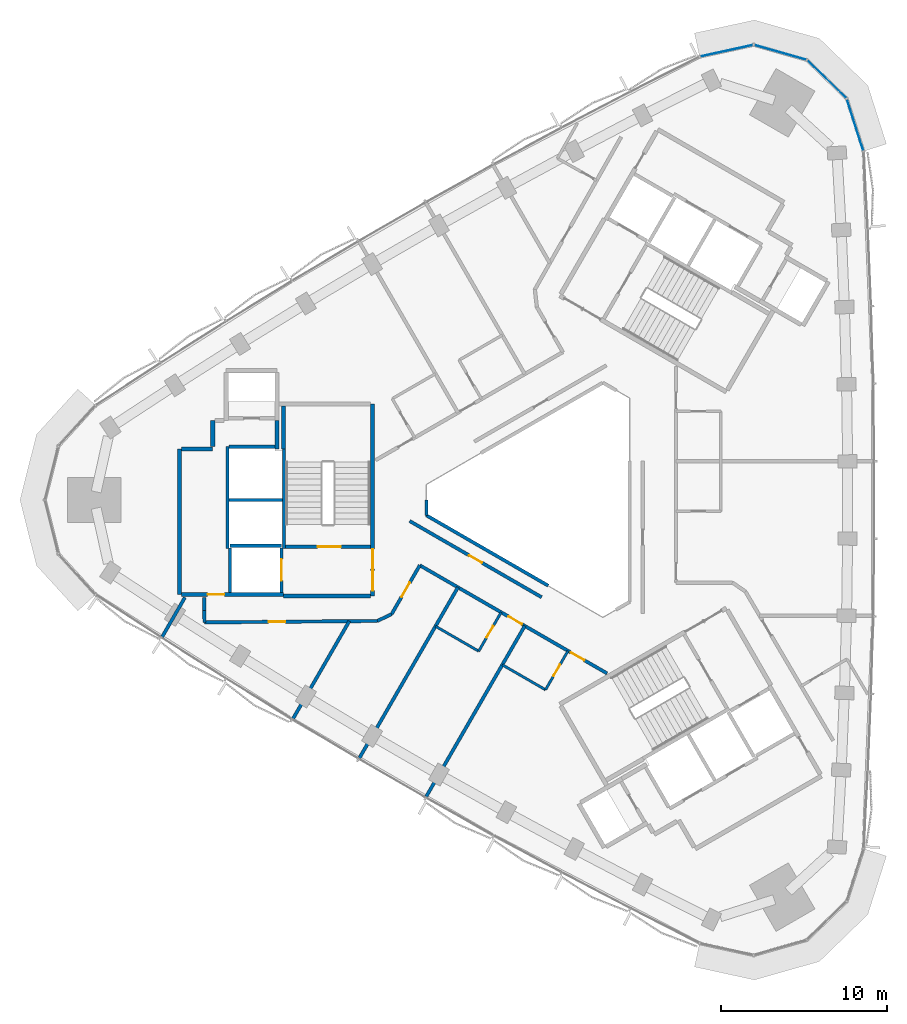
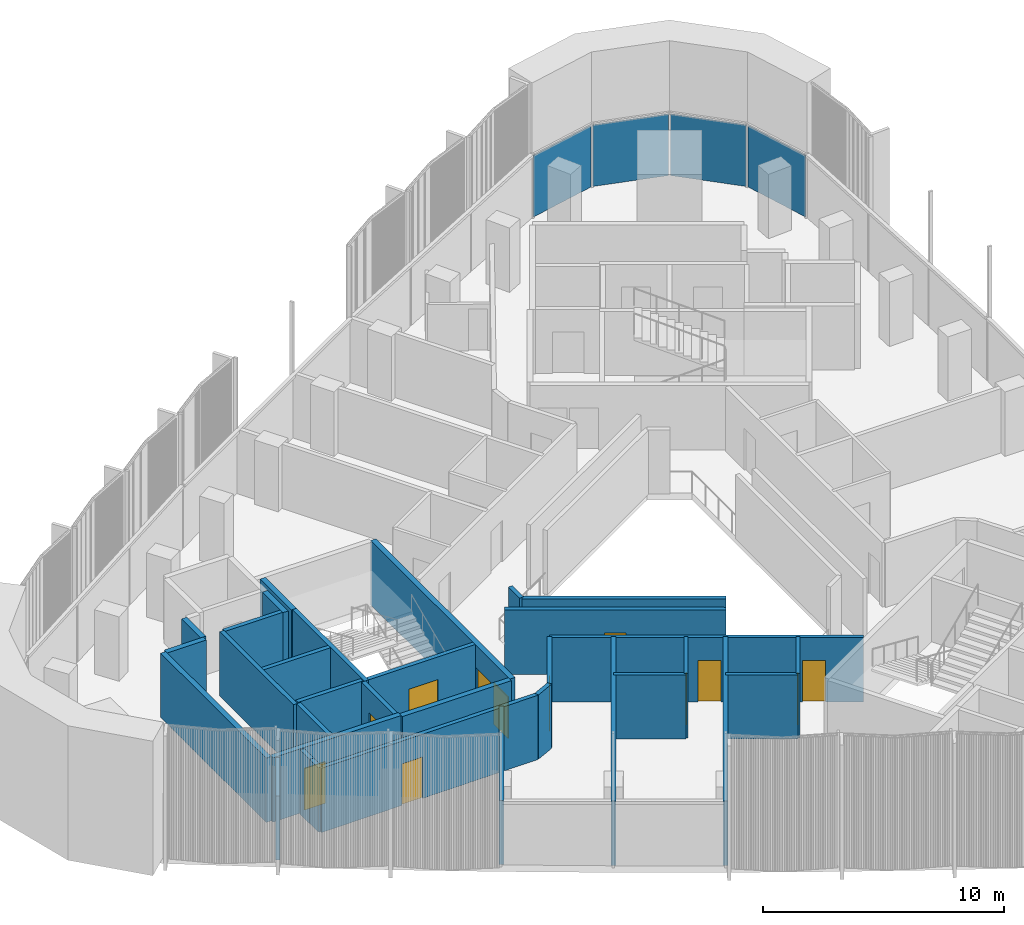
# One storey, part 7 of 13: 33 walls, 12 doors, 4 plates, 12 openings, 1 element without a shape of its own.
"""IFC4 building model written with IfcOpenShell, lengths in metres."""

from ifc_helpers import new_model, si_unit, direction, frame, frame_2d, origin, origin_2d, place, context, subcontext, project, spatial, rectangle, extrude, material, layer, layer_set, type_object, element, fill, aggregate, save


model = new_model("IFC4")

# Units and contexts
model_context = context("Model", 3, precision=1e-05, world=origin(), true_north=direction((0.0, 1.0)))
body_context = subcontext(model_context, "Body", "Model", "MODEL_VIEW")
ifc_project = project(units=[si_unit("LENGTHUNIT", "METRE"), si_unit("AREAUNIT", "SQUARE_METRE"), si_unit("VOLUMEUNIT", "CUBIC_METRE"), si_unit("PLANEANGLEUNIT", "RADIAN"), si_unit("MASSUNIT", "GRAM", prefix="KILO")], contexts=[model_context])

# Site, building, storey
site_placement = place(None, origin())
site = spatial("IfcSite", under=ifc_project, at=site_placement, CompositionType="ELEMENT")
building_placement = place(site_placement, origin())
building = spatial("IfcBuilding", under=site, at=building_placement, Name="Tamra Quay Hotel Tower", CompositionType="ELEMENT")
storey_placement = place(building_placement, frame((0.0, 0.0, 204.39990234375)))
storey = spatial("IfcBuildingStorey", under=building, at=storey_placement, Name="L51", CompositionType="ELEMENT", Elevation=204.39990234375)

# Curtain wall, plates
ifc_material_1 = material(Name="Aluminium 6063 anodised dark grey", Category="aluminium")
curtain_wall_type = type_object("IfcCurtainWallType", Name="CW1 CURTAIN WALL", PredefinedType="NOTDEFINED", material=ifc_material_1)
curtain_wall_placement = place(storey_placement, origin())
curtain_wall = element("IfcCurtainWall", 1, at=curtain_wall_placement, inside=storey, type_object=curtain_wall_type, Name="CW1 east face L51", PredefinedType="NOTDEFINED")
ifc_material_2 = material(Name="Glass clear laminated low-iron", Category="glass")
ifc_layer_1 = layer(ifc_material_2, 0.030029296875)
ifc_layer_set_1 = layer_set([ifc_layer_1], Name="GLASS PANEL CW1 Z4")
plate_type = type_object("IfcPlateType", Name="GLASS PANEL CW1 Z4", PredefinedType="CURTAIN_PANEL", material=ifc_layer_set_1)
plate_1_placement = place(storey_placement, frame((18.16064453125, 22.54052734375, 0.0), z_axis=(0.0, 0.0, 1.0), x_axis=(-0.303410479682, 0.952859948166, 0.0)))
plate_1 = element("IfcPlate", 2, at=plate_1_placement, type_object=plate_type, Name="CW1 glass L51.E.10", PredefinedType="CURTAIN_PANEL", context=body_context, shape_type="SweptSolid", body=[
    extrude(rectangle(XDim=3.227783203125, YDim=0.030029296875, at=origin_2d()), origin(), (0.0, 0.0, 1.0), 3.110107421875),
])
plate_2_placement = place(storey_placement, frame((16.461181640625, 25.2841796875, 0.0), z_axis=(0.0, 0.0, 1.0), x_axis=(-0.717974699393, 0.696069199888, 0.0)))
plate_2 = element("IfcPlate", 3, at=plate_2_placement, type_object=plate_type, Name="CW1 glass L51.E.11", PredefinedType="CURTAIN_PANEL", context=body_context, shape_type="SweptSolid", body=[
    extrude(rectangle(XDim=3.227783203125, YDim=0.030029296875, at=origin_2d()), origin(), (0.0, 0.0, 1.0), 3.110107421875),
])
plate_3_placement = place(storey_placement, frame((13.666259765625, 26.897705078125, 0.0), z_axis=(0.0, 0.0, 1.0), x_axis=(-0.961800959591, 0.273749729005, 0.0)))
plate_3 = element("IfcPlate", 4, at=plate_3_placement, type_object=plate_type, Name="CW1 glass L51.E.12", PredefinedType="CURTAIN_PANEL", context=body_context, shape_type="SweptSolid", body=[
    extrude(rectangle(XDim=3.227783203125, YDim=0.030029296875, at=origin_2d()), origin(), (0.0, 0.0, 1.0), 3.110107421875),
])
plate_4_placement = place(storey_placement, frame((10.4404296875, 26.997802734375, 0.0), z_axis=(0.0, 0.0, 1.0), x_axis=(-0.976906161202, -0.213668790904, 0.0)))
plate_4 = element("IfcPlate", 5, at=plate_4_placement, type_object=plate_type, Name="CW1 glass L51.E.13", PredefinedType="CURTAIN_PANEL", context=body_context, shape_type="SweptSolid", body=[
    extrude(rectangle(XDim=3.227783203125, YDim=0.030029296875, at=origin_2d()), origin(), (0.0, 0.0, 1.0), 3.110107421875),
])
aggregate(curtain_wall, [plate_1, plate_2, plate_3, plate_4])

# Walls
ifc_material_3 = material(Name="Concrete M70", Category="concrete")
ifc_layer_2 = layer(ifc_material_3, 0.199951171875)
ifc_layer_set_2 = layer_set([ifc_layer_2], Name="Concrete M70 core wall 200")
wall_type_1 = type_object("IfcWallType", Name="Concrete M70 core wall 200", PredefinedType="SHEAR", material=ifc_layer_set_2)
wall_1_placement = place(storey_placement, frame((-16.162109375, 3.073974609375, 0.0), z_axis=(0.0, 0.0, 1.0), x_axis=(0.0, -1.0, 0.0)))
element("IfcWall", 6, at=wall_1_placement, inside=storey, type_object=wall_type_1, Name="CW2", PredefinedType="SHEAR", context=body_context, shape_type="SweptSolid", body=[
    extrude(rectangle(XDim=5.97412109375, YDim=0.199951171875, at=frame_2d((2.987060546875, 0.0))), origin(), (0.0, 0.0, 1.0), 3.25),
])
wall_2_placement = place(storey_placement, frame((-19.5625, -2.900146484375, 0.0), z_axis=(0.0, 0.0, 1.0), x_axis=(0.0, 1.0, 0.0)))
element("IfcWall", 7, at=wall_2_placement, inside=storey, type_object=wall_type_1, Name="CW2", PredefinedType="SHEAR", context=body_context, shape_type="SweptSolid", body=[
    extrude(rectangle(XDim=6.100341796875, YDim=0.199951171875, at=frame_2d((3.05029296875, 0.0))), origin(), (0.0, 0.0, 1.0), 3.25),
])

# Wall, opening, door
wall_3_placement = place(storey_placement, frame((-10.96337890625, -2.800048828125, 0.0), z_axis=(0.0, 0.0, 1.0), x_axis=(-1.0, 0.0, 0.0)))
wall_3 = element("IfcWall", 8, at=wall_3_placement, inside=storey, type_object=wall_type_1, Name="CW2", PredefinedType="SHEAR", context=body_context, shape_type="SweptSolid", body=[
    extrude(rectangle(XDim=5.097900390625, YDim=0.199951171875, at=frame_2d((2.548828125, 0.0))), origin(), (0.0, 0.0, 1.0), 3.25),
])
opening_1_placement = place(wall_3_placement, frame((1.77392578125, 0.0, 0.0)))
opening_1 = element("IfcOpeningElement", 9, at=opening_1_placement, cuts=wall_3, Name="Opening FD2", PredefinedType="OPENING", context=body_context, shape_type="SweptSolid", body=[
    extrude(rectangle(XDim=1.39990234375, YDim=2.10009765625, at=frame_2d((0.699951171875, 1.050048828125))), frame((0.0, 0.10986328125, 0.0), z_axis=(0.0, -1.0, 0.0), x_axis=(1.0, 0.0, 0.0)), (0.0, 0.0, 1.0), 0.219970703125),
])
ifc_material_4 = material(Name="Core door FD2 1400x2100 LH")
door_type_1 = type_object("IfcDoorType", Name="Core door FD2 1400x2100 LH", OperationType="NOTDEFINED", PredefinedType="DOOR", material=ifc_material_4)
door_1_placement = place(opening_1_placement, origin())
door_1 = element("IfcDoor", 10, at=door_1_placement, inside=storey, type_object=door_type_1, Name="FD2", OperationType="SINGLE_SWING_LEFT", OverallHeight=2.10009765625, OverallWidth=1.39990234375, PredefinedType="DOOR", context=body_context, shape_type="SweptSolid", body=[
    extrude(rectangle(XDim=1.39990234375, YDim=2.10009765625, at=frame_2d((0.699951171875, 1.050048828125))), frame((0.0, 0.02490234375, 0.0), z_axis=(0.0, -1.0, 0.0), x_axis=(1.0, 0.0, 0.0)), (0.0, 0.0, 1.0), 0.050048828125),
])
fill(opening_1, door_1)

# Walls
wall_4_placement = place(storey_placement, frame((-16.26318359375, 0.0, 0.0), z_axis=(0.0, 0.0, 1.0), x_axis=(-1.0, 0.0, 0.0)))
element("IfcWall", 11, at=wall_4_placement, inside=storey, type_object=wall_type_1, Name="CW2", PredefinedType="SHEAR", context=body_context, shape_type="SweptSolid", body=[
    extrude(rectangle(XDim=3.1982421875, YDim=0.199951171875, at=frame_2d((1.59912109375, 0.0))), origin(), (0.0, 0.0, 1.0), 3.25),
])
wall_5_placement = place(storey_placement, frame((-19.46240234375, 3.2001953125, 0.0), z_axis=(0.0, 0.0, 1.0), x_axis=(1.0, 0.0, 0.0)))
element("IfcWall", 12, at=wall_5_placement, inside=storey, type_object=wall_type_1, Name="CW2", PredefinedType="SHEAR", context=body_context, shape_type="SweptSolid", body=[
    extrude(rectangle(XDim=2.759033203125, YDim=0.199951171875, at=frame_2d((1.37939453125, 0.0))), origin(), (0.0, 0.0, 1.0), 3.25),
])
wall_6_placement = place(storey_placement, frame((-19.412353515625, -2.75, 0.0), z_axis=(0.0, 0.0, 1.0), x_axis=(1.0, 0.0, 0.0)))
element("IfcWall", 13, at=wall_6_placement, inside=storey, type_object=wall_type_1, Name="CW2", PredefinedType="SHEAR", context=body_context, shape_type="SweptSolid", body=[
    extrude(rectangle(XDim=3.10009765625, YDim=0.199951171875, at=frame_2d((1.550048828125, 0.0))), origin(), (0.0, 0.0, 1.0), 3.25),
])

# Wall, opening, door
wall_7_placement = place(storey_placement, frame((-16.312255859375, -2.898193359375, 0.0), z_axis=(0.0, 0.0, 1.0), x_axis=(0.0, -1.0, 0.0)))
wall_7 = element("IfcWall", 14, at=wall_7_placement, inside=storey, type_object=wall_type_1, Name="CW2", PredefinedType="SHEAR", context=body_context, shape_type="SweptSolid", body=[
    extrude(rectangle(XDim=2.65087890625, YDim=0.199951171875, at=frame_2d((1.325439453125, 0.0))), origin(), (0.0, 0.0, 1.0), 3.25),
])
opening_2_placement = place(wall_7_placement, frame((0.65185546875, 0.0, 0.0)))
opening_2 = element("IfcOpeningElement", 15, at=opening_2_placement, cuts=wall_7, Name="Opening LD", PredefinedType="OPENING", context=body_context, shape_type="SweptSolid", body=[
    extrude(rectangle(XDim=1.300048828125, YDim=2.10009765625, at=frame_2d((0.64990234375, 1.050048828125))), frame((0.0, 0.10986328125, 0.0), z_axis=(0.0, -1.0, 0.0), x_axis=(1.0, 0.0, 0.0)), (0.0, 0.0, 1.0), 0.219970703125),
])
ifc_material_5 = material(Name="Landing door LD 1300 sliding to left")
door_type_2 = type_object("IfcDoorType", Name="Landing door LD 1300 sliding to left", OperationType="NOTDEFINED", PredefinedType="DOOR", material=ifc_material_5)
door_2_placement = place(opening_2_placement, origin())
door_2 = element("IfcDoor", 16, at=door_2_placement, inside=storey, type_object=door_type_2, Name="LD", OperationType="SLIDING_TO_LEFT", OverallHeight=2.10009765625, OverallWidth=1.300048828125, PredefinedType="DOOR", context=body_context, shape_type="SweptSolid", body=[
    extrude(rectangle(XDim=1.300048828125, YDim=2.10009765625, at=frame_2d((0.64990234375, 1.050048828125))), frame((0.0, 0.02490234375, 0.0), z_axis=(0.0, -1.0, 0.0), x_axis=(1.0, 0.0, 0.0)), (0.0, 0.0, 1.0), 0.050048828125),
])
fill(opening_2, door_2)

# Wall
wall_8_placement = place(storey_placement, frame((-19.412353515625, -5.549072265625, 0.0), z_axis=(0.0, 0.0, 1.0), x_axis=(0.0, 1.0, 0.0)))
element("IfcWall", 17, at=wall_8_placement, inside=storey, type_object=wall_type_1, Name="CW2", PredefinedType="SHEAR", context=body_context, shape_type="SweptSolid", body=[
    extrude(rectangle(XDim=2.65087890625, YDim=0.199951171875, at=frame_2d((1.325439453125, 0.0))), origin(), (0.0, 0.0, 1.0), 3.25),
])

# Wall, openings, doors
ifc_layer_3 = layer(ifc_material_3, 0.25)
ifc_layer_set_3 = layer_set([ifc_layer_3], Name="Concrete M70 core wall 250")
wall_type_2 = type_object("IfcWallType", Name="Concrete M70 core wall 250", PredefinedType="SHEAR", material=ifc_layer_set_3)
wall_9_placement = place(storey_placement, frame((-10.83740234375, 5.77490234375, 0.0), z_axis=(0.0, 0.0, 1.0), x_axis=(0.0, -1.0, 0.0)))
wall_9 = element("IfcWall", 18, at=wall_9_placement, inside=storey, type_object=wall_type_2, Name="CW1", PredefinedType="SHEAR", context=body_context, shape_type="SweptSolid", body=[
    extrude(rectangle(XDim=11.5498046875, YDim=0.25, at=frame_2d((5.77490234375, 0.0))), origin(), (0.0, 0.0, 1.0), 3.25),
])
opening_3_placement = place(wall_9_placement, frame((10.02490234375, 0.0, 0.0)))
opening_3 = element("IfcOpeningElement", 19, at=opening_3_placement, cuts=wall_9, Name="Opening FD1", PredefinedType="OPENING", context=body_context, shape_type="SweptSolid", body=[
    extrude(rectangle(XDim=1.199951171875, YDim=2.10009765625, at=frame_2d((0.60009765625, 1.050048828125))), frame((0.0, 0.135009765625, 0.0), z_axis=(0.0, -1.0, 0.0), x_axis=(1.0, 0.0, 0.0)), (0.0, 0.0, 1.0), 0.27001953125),
])
opening_4_placement = place(wall_9_placement, frame((8.72509765625, 0.0, 0.0)))
opening_4 = element("IfcOpeningElement", 20, at=opening_4_placement, cuts=wall_9, Name="Opening FD1", PredefinedType="OPENING", context=body_context, shape_type="SweptSolid", body=[
    extrude(rectangle(XDim=1.199951171875, YDim=2.10009765625, at=frame_2d((0.60009765625, 1.050048828125))), frame((0.0, 0.135009765625, 0.0), z_axis=(0.0, -1.0, 0.0), x_axis=(1.0, 0.0, 0.0)), (0.0, 0.0, 1.0), 0.27001953125),
])
ifc_material_6 = material(Name="Core door FD1 1200x2100 LH")
door_type_3 = type_object("IfcDoorType", Name="Core door FD1 1200x2100 LH", OperationType="NOTDEFINED", PredefinedType="DOOR", material=ifc_material_6)
door_3_placement = place(opening_3_placement, origin())
door_3 = element("IfcDoor", 21, at=door_3_placement, inside=storey, type_object=door_type_3, Name="FD1", OperationType="SINGLE_SWING_LEFT", OverallHeight=2.10009765625, OverallWidth=1.199951171875, PredefinedType="DOOR", context=body_context, shape_type="SweptSolid", body=[
    extrude(rectangle(XDim=1.199951171875, YDim=2.10009765625, at=frame_2d((0.60009765625, 1.050048828125))), frame((0.0, 0.02490234375, 0.0), z_axis=(0.0, -1.0, 0.0), x_axis=(1.0, 0.0, 0.0)), (0.0, 0.0, 1.0), 0.050048828125),
])
fill(opening_3, door_3)
ifc_material_7 = material(Name="Core door FD1 1200x2100 RH")
door_type_4 = type_object("IfcDoorType", Name="Core door FD1 1200x2100 RH", OperationType="NOTDEFINED", PredefinedType="DOOR", material=ifc_material_7)
door_4_placement = place(opening_4_placement, origin())
door_4 = element("IfcDoor", 22, at=door_4_placement, inside=storey, type_object=door_type_4, Name="FD1", OperationType="SINGLE_SWING_RIGHT", OverallHeight=2.10009765625, OverallWidth=1.199951171875, PredefinedType="DOOR", context=body_context, shape_type="SweptSolid", body=[
    extrude(rectangle(XDim=1.199951171875, YDim=2.10009765625, at=frame_2d((0.60009765625, 1.050048828125))), frame((0.0, 0.02490234375, 0.0), z_axis=(0.0, -1.0, 0.0), x_axis=(1.0, 0.0, 0.0)), (0.0, 0.0, 1.0), 0.050048828125),
])
fill(opening_4, door_4)

# Wall
wall_10_placement = place(storey_placement, frame((-22.437255859375, -5.675048828125, 0.0), z_axis=(0.0, 0.0, 1.0), x_axis=(0.0, 1.0, 0.0)))
element("IfcWall", 23, at=wall_10_placement, inside=storey, type_object=wall_type_2, Name="CW1", PredefinedType="SHEAR", context=body_context, shape_type="SweptSolid", body=[
    extrude(rectangle(XDim=8.75, YDim=0.25, at=frame_2d((4.375, 0.0))), origin(), (0.0, 0.0, 1.0), 3.25),
])

# Wall, opening, door
wall_11_placement = place(storey_placement, frame((-16.187255859375, -5.675048828125, 0.0), z_axis=(0.0, 0.0, 1.0), x_axis=(-1.0, 0.0, 0.0)))
wall_11 = element("IfcWall", 24, at=wall_11_placement, inside=storey, type_object=wall_type_2, Name="CW1", PredefinedType="SHEAR", context=body_context, shape_type="SweptSolid", body=[
    extrude(rectangle(XDim=6.12451171875, YDim=0.25, at=frame_2d((3.062255859375, 0.0))), origin(), (0.0, 0.0, 1.0), 3.25),
])
opening_5_placement = place(wall_11_placement, frame((3.562744140625, 0.0, 0.0)))
opening_5 = element("IfcOpeningElement", 25, at=opening_5_placement, cuts=wall_11, Name="Opening FD3", PredefinedType="OPENING", context=body_context, shape_type="SweptSolid", body=[
    extrude(rectangle(XDim=1.0, YDim=2.10009765625, at=frame_2d((0.5, 1.050048828125))), frame((0.0, 0.135009765625, 0.0), z_axis=(0.0, -1.0, 0.0), x_axis=(1.0, 0.0, 0.0)), (0.0, 0.0, 1.0), 0.27001953125),
])
ifc_material_8 = material(Name="Core door FD3 1000x2100 LH")
door_type_5 = type_object("IfcDoorType", Name="Core door FD3 1000x2100 LH", OperationType="NOTDEFINED", PredefinedType="DOOR", material=ifc_material_8)
door_5_placement = place(opening_5_placement, origin())
door_5 = element("IfcDoor", 26, at=door_5_placement, inside=storey, type_object=door_type_5, Name="FD3", OperationType="SINGLE_SWING_LEFT", OverallHeight=2.10009765625, OverallWidth=1.0, PredefinedType="DOOR", context=body_context, shape_type="SweptSolid", body=[
    extrude(rectangle(XDim=1.0, YDim=2.10009765625, at=frame_2d((0.5, 1.050048828125))), frame((0.0, 0.02490234375, 0.0), z_axis=(0.0, -1.0, 0.0), x_axis=(1.0, 0.0, 0.0)), (0.0, 0.0, 1.0), 0.050048828125),
])
fill(opening_5, door_5)

# Walls
wall_12_placement = place(storey_placement, frame((-10.962646484375, -5.77490234375, 0.0), z_axis=(0.0, 0.0, 1.0), x_axis=(-1.0, 0.0, 0.0)))
element("IfcWall", 27, at=wall_12_placement, inside=storey, type_object=wall_type_2, Name="CW1", PredefinedType="SHEAR", context=body_context, shape_type="SweptSolid", body=[
    extrude(rectangle(XDim=5.224609375, YDim=0.25, at=frame_2d((2.6123046875, 0.0))), origin(), (0.0, 0.0, 1.0), 3.25),
])
wall_13_placement = place(storey_placement, frame((-16.187255859375, 3.074951171875, 0.0), z_axis=(0.0, 0.0, 1.0), x_axis=(0.0, 1.0, 0.0)))
element("IfcWall", 28, at=wall_13_placement, inside=storey, type_object=wall_type_2, Name="CW1", PredefinedType="SHEAR", context=body_context, shape_type="SweptSolid", body=[
    extrude(rectangle(XDim=2.57470703125, YDim=0.25, at=frame_2d((1.287353515625, 0.0))), origin(), (0.0, 0.0, 1.0), 3.25),
])
wall_14_placement = place(storey_placement, frame((-22.311767578125, 3.074951171875, 0.0), z_axis=(0.0, 0.0, 1.0), x_axis=(1.0, 0.0, 0.0)))
element("IfcWall", 29, at=wall_14_placement, inside=storey, type_object=wall_type_2, Name="CW1", PredefinedType="SHEAR", context=body_context, shape_type="SweptSolid", body=[
    extrude(rectangle(XDim=1.864501953125, YDim=0.25, at=frame_2d((0.93212890625, 0.0))), origin(), (0.0, 0.0, 1.0), 3.25),
])
wall_15_placement = place(storey_placement, frame((-16.577392578125, 4.784912109375, 0.0), z_axis=(0.0, 0.0, 1.0), x_axis=(0.0, -1.0, 0.0)))
element("IfcWall", 30, at=wall_15_placement, inside=storey, type_object=wall_type_2, Name="CW1", PredefinedType="SHEAR", context=body_context, shape_type="SweptSolid", body=[
    extrude(rectangle(XDim=1.7099609375, YDim=0.25, at=frame_2d((0.85498046875, 0.0))), origin(), (0.0, 0.0, 1.0), 3.25),
])
wall_16_placement = place(storey_placement, frame((-20.447265625, 3.200439453125, 0.0), z_axis=(0.0, 0.0, 1.0), x_axis=(0.0, 1.0, 0.0)))
element("IfcWall", 31, at=wall_16_placement, inside=storey, type_object=wall_type_2, Name="CW1", PredefinedType="SHEAR", context=body_context, shape_type="SweptSolid", body=[
    extrude(rectangle(XDim=1.58447265625, YDim=0.25, at=frame_2d((0.792236328125, 0.0))), origin(), (0.0, 0.0, 1.0), 3.25),
])
ifc_material_9 = material(Name="Partition corridor wall")
ifc_layer_4 = layer(ifc_material_9, 0.199951171875)
ifc_layer_set_4 = layer_set([ifc_layer_4], Name="Partition corridor wall")
wall_type_3 = type_object("IfcWallType", Name="Partition corridor wall", PredefinedType="PARTITIONING", material=ifc_layer_set_4)
wall_17_placement = place(storey_placement, frame((-20.949951171875, -6.64990234375, 0.0), z_axis=(0.0, 0.0, 1.0), x_axis=(0.0, 1.0, 0.0)))
element("IfcWall", 32, at=wall_17_placement, inside=storey, type_object=wall_type_3, Name="W-C", PredefinedType="PARTITIONING", context=body_context, shape_type="SweptSolid", body=[
    extrude(rectangle(XDim=0.789794921875, YDim=0.199951171875, at=frame_2d((0.39501953125, 0.0))), origin(), (0.0, 0.0, 1.0), 3.25),
])
wall_18_placement = place(storey_placement, frame((-20.947021484375, -6.653076171875, 0.0), z_axis=(0.0, 0.0, 1.0), x_axis=(0.004173876686, -0.999991289339, 0.0)))
element("IfcWall", 33, at=wall_18_placement, inside=storey, type_object=wall_type_3, Name="W-C", PredefinedType="PARTITIONING", context=body_context, shape_type="SweptSolid", body=[
    extrude(rectangle(XDim=0.701904296875, YDim=0.199951171875, at=frame_2d((0.35107421875, 0.0))), origin(), (0.0, 0.0, 1.0), 3.25),
])

# Wall, opening, door
wall_19_placement = place(storey_placement, frame((-20.944091796875, -7.35595703125, 0.0), z_axis=(0.0, 0.0, 1.0), x_axis=(0.999965021341, 0.008363976025, 0.0)))
wall_19 = element("IfcWall", 34, at=wall_19_placement, inside=storey, type_object=wall_type_3, Name="W-C", PredefinedType="PARTITIONING", context=body_context, shape_type="SweptSolid", body=[
    extrude(rectangle(XDim=10.391357421875, YDim=0.199951171875, at=frame_2d((5.19580078125, 0.0))), origin(), (0.0, 0.0, 1.0), 3.25),
])
opening_6_placement = place(wall_19_placement, frame((3.859619140625, 0.0, 0.0)))
opening_6 = element("IfcOpeningElement", 35, at=opening_6_placement, cuts=wall_19, Name="Opening L51-D008", PredefinedType="OPENING", context=body_context, shape_type="SweptSolid", body=[
    extrude(rectangle(XDim=1.0, YDim=2.10009765625, at=frame_2d((0.5, 1.050048828125))), frame((0.0, 0.10986328125, 0.0), z_axis=(0.0, -1.0, 0.0), x_axis=(1.0, 0.0, 0.0)), (0.0, 0.0, 1.0), 0.219970703125),
])
ifc_material_10 = material(Name="Door guest room 1000x2100")
door_type_6 = type_object("IfcDoorType", Name="Door guest room 1000x2100", OperationType="NOTDEFINED", PredefinedType="DOOR", material=ifc_material_10)
door_6_placement = place(opening_6_placement, frame((1.0, 0.0, 0.0), z_axis=(0.0, 0.0, 1.0), x_axis=(-1.0, 0.0, 0.0)))
door_6 = element("IfcDoor", 36, at=door_6_placement, inside=storey, type_object=door_type_6, Name="L51-D008", OperationType="SINGLE_SWING_LEFT", OverallHeight=2.10009765625, OverallWidth=1.0, PredefinedType="DOOR", context=body_context, shape_type="SweptSolid", body=[
    extrude(rectangle(XDim=1.0, YDim=2.10009765625, at=frame_2d((0.5, 1.050048828125))), frame((0.0, 0.02490234375, 0.0), z_axis=(0.0, -1.0, 0.0), x_axis=(1.0, 0.0, 0.0)), (0.0, 0.0, 1.0), 0.050048828125),
])
fill(opening_6, door_6)

# Wall
wall_20_placement = place(storey_placement, frame((-10.552001953125, -7.26806640625, 0.0), z_axis=(0.0, 0.0, 1.0), x_axis=(0.904331815333, 0.426830139255, 0.0)))
element("IfcWall", 37, at=wall_20_placement, inside=storey, type_object=wall_type_3, Name="W-C", PredefinedType="PARTITIONING", context=body_context, shape_type="SweptSolid", body=[
    extrude(rectangle(XDim=0.9443359375, YDim=0.199951171875, at=frame_2d((0.47216796875, 0.0))), origin(), (0.0, 0.0, 1.0), 3.25),
])

# Wall, opening, door
wall_21_placement = place(storey_placement, frame((-9.697021484375, -6.864013671875, 0.0), z_axis=(0.0, 0.0, 1.0), x_axis=(0.499955030392, 0.866051365443, 0.0)))
wall_21 = element("IfcWall", 38, at=wall_21_placement, inside=storey, type_object=wall_type_3, Name="W-C", PredefinedType="PARTITIONING", context=body_context, shape_type="SweptSolid", body=[
    extrude(rectangle(XDim=3.392333984375, YDim=0.199951171875, at=frame_2d((1.6962890625, 0.0))), origin(), (0.0, 0.0, 1.0), 3.25),
])
opening_7_placement = place(wall_21_placement, frame((1.1962890625, 0.0, 0.0)))
opening_7 = element("IfcOpeningElement", 39, at=opening_7_placement, cuts=wall_21, Name="Opening L51-D009", PredefinedType="OPENING", context=body_context, shape_type="SweptSolid", body=[
    extrude(rectangle(XDim=1.0, YDim=2.10009765625, at=frame_2d((0.5, 1.050048828125))), frame((0.0, 0.10986328125, 0.0), z_axis=(0.0, -1.0, 0.0), x_axis=(1.0, 0.0, 0.0)), (0.0, 0.0, 1.0), 0.219970703125),
])
door_7_placement = place(opening_7_placement, frame((1.0, 0.0, 0.0), z_axis=(0.0, 0.0, 1.0), x_axis=(-1.0, 0.0, 0.0)))
door_7 = element("IfcDoor", 40, at=door_7_placement, inside=storey, type_object=door_type_6, Name="L51-D009", OperationType="SINGLE_SWING_LEFT", OverallHeight=2.10009765625, OverallWidth=1.0, PredefinedType="DOOR", context=body_context, shape_type="SweptSolid", body=[
    extrude(rectangle(XDim=1.0, YDim=2.10009765625, at=frame_2d((0.5, 1.050048828125))), frame((0.0, 0.02490234375, 0.0), z_axis=(0.0, -1.0, 0.0), x_axis=(1.0, 0.0, 0.0)), (0.0, 0.0, 1.0), 0.050048828125),
])
fill(opening_7, door_7)

wall_22_placement = place(storey_placement, frame((-8.612060546875, -1.262939453125, 0.0), z_axis=(0.0, 0.0, 1.0), x_axis=(0.865996442381, -0.500050159267, 0.0)))
wall_22 = element("IfcWall", 41, at=wall_22_placement, inside=storey, type_object=wall_type_3, Name="W-C", PredefinedType="PARTITIONING", context=body_context, shape_type="SweptSolid", body=[
    extrude(rectangle(XDim=9.1572265625, YDim=0.199951171875, at=frame_2d((4.57861328125, 0.0))), origin(), (0.0, 0.0, 1.0), 3.25),
])
opening_8_placement = place(wall_22_placement, frame((4.12841796875, 0.0, 0.0)))
opening_8 = element("IfcOpeningElement", 42, at=opening_8_placement, cuts=wall_22, Name="Opening L51-D022", PredefinedType="OPENING", context=body_context, shape_type="SweptSolid", body=[
    extrude(rectangle(XDim=0.89990234375, YDim=2.10009765625, at=frame_2d((0.449951171875, 1.050048828125))), frame((0.0, 0.10986328125, 0.0), z_axis=(0.0, -1.0, 0.0), x_axis=(1.0, 0.0, 0.0)), (0.0, 0.0, 1.0), 0.219970703125),
])
ifc_material_11 = material(Name="Door service room 900x2100")
door_type_7 = type_object("IfcDoorType", Name="Door service room 900x2100", OperationType="NOTDEFINED", PredefinedType="DOOR", material=ifc_material_11)
door_8_placement = place(opening_8_placement, origin())
door_8 = element("IfcDoor", 43, at=door_8_placement, inside=storey, type_object=door_type_7, Name="L51-D022", OperationType="SINGLE_SWING_LEFT", OverallHeight=2.10009765625, OverallWidth=0.89990234375, PredefinedType="DOOR", context=body_context, shape_type="SweptSolid", body=[
    extrude(rectangle(XDim=0.89990234375, YDim=2.10009765625, at=frame_2d((0.449951171875, 1.050048828125))), frame((0.0, 0.02490234375, 0.0), z_axis=(0.0, -1.0, 0.0), x_axis=(1.0, 0.0, 0.0)), (0.0, 0.0, 1.0), 0.050048828125),
])
fill(opening_8, door_8)

# Wall, openings, doors
wall_23_placement = place(storey_placement, frame((-8.0009765625, -3.926025390625, 0.0), z_axis=(0.0, 0.0, 1.0), x_axis=(0.866131158271, -0.499816783104, 0.0)))
wall_23 = element("IfcWall", 44, at=wall_23_placement, inside=storey, type_object=wall_type_3, Name="W-C", PredefinedType="PARTITIONING", context=body_context, shape_type="SweptSolid", body=[
    extrude(rectangle(XDim=12.9951171875, YDim=0.199951171875, at=frame_2d((6.49755859375, 0.0))), origin(), (0.0, 0.0, 1.0), 3.25),
])
opening_9_placement = place(wall_23_placement, frame((6.146484375, 0.0, 0.0)))
opening_9 = element("IfcOpeningElement", 45, at=opening_9_placement, cuts=wall_23, Name="Opening L51-D010", PredefinedType="OPENING", context=body_context, shape_type="SweptSolid", body=[
    extrude(rectangle(XDim=0.949951171875, YDim=2.10009765625, at=frame_2d((0.47509765625, 1.050048828125))), frame((0.0, 0.10986328125, 0.0), z_axis=(0.0, -1.0, 0.0), x_axis=(1.0, 0.0, 0.0)), (0.0, 0.0, 1.0), 0.219970703125),
])
opening_10_placement = place(wall_23_placement, frame((10.47216796875, 0.0, 0.0)))
opening_10 = element("IfcOpeningElement", 46, at=opening_10_placement, cuts=wall_23, Name="Opening L51-D012", PredefinedType="OPENING", context=body_context, shape_type="SweptSolid", body=[
    extrude(rectangle(XDim=0.949951171875, YDim=2.10009765625, at=frame_2d((0.47509765625, 1.050048828125))), frame((0.0, 0.10986328125, 0.0), z_axis=(0.0, -1.0, 0.0), x_axis=(1.0, 0.0, 0.0)), (0.0, 0.0, 1.0), 0.219970703125),
])
ifc_material_12 = material(Name="Door guest room 950x2100")
door_type_8 = type_object("IfcDoorType", Name="Door guest room 950x2100", OperationType="NOTDEFINED", PredefinedType="DOOR", material=ifc_material_12)
door_9_placement = place(opening_9_placement, frame((0.949951171875, 0.0, 0.0), z_axis=(0.0, 0.0, 1.0), x_axis=(-1.0, 0.0, 0.0)))
door_9 = element("IfcDoor", 47, at=door_9_placement, inside=storey, type_object=door_type_8, Name="L51-D010", OperationType="SINGLE_SWING_LEFT", OverallHeight=2.10009765625, OverallWidth=0.949951171875, PredefinedType="DOOR", context=body_context, shape_type="SweptSolid", body=[
    extrude(rectangle(XDim=0.949951171875, YDim=2.10009765625, at=frame_2d((0.47509765625, 1.050048828125))), frame((0.0, 0.02490234375, 0.0), z_axis=(0.0, -1.0, 0.0), x_axis=(1.0, 0.0, 0.0)), (0.0, 0.0, 1.0), 0.050048828125),
])
fill(opening_9, door_9)
door_10_placement = place(opening_10_placement, frame((0.949951171875, 0.0, 0.0), z_axis=(0.0, 0.0, 1.0), x_axis=(-1.0, 0.0, 0.0)))
door_10 = element("IfcDoor", 48, at=door_10_placement, inside=storey, type_object=door_type_8, Name="L51-D012", OperationType="SINGLE_SWING_LEFT", OverallHeight=2.10009765625, OverallWidth=0.949951171875, PredefinedType="DOOR", context=body_context, shape_type="SweptSolid", body=[
    extrude(rectangle(XDim=0.949951171875, YDim=2.10009765625, at=frame_2d((0.47509765625, 1.050048828125))), frame((0.0, 0.02490234375, 0.0), z_axis=(0.0, -1.0, 0.0), x_axis=(1.0, 0.0, 0.0)), (0.0, 0.0, 1.0), 0.050048828125),
])
fill(opening_10, door_10)

# Wall
ifc_material_13 = material(Name="Partition en-suite wall")
ifc_layer_5 = layer(ifc_material_13, 0.14990234375)
ifc_layer_set_5 = layer_set([ifc_layer_5], Name="Partition en-suite wall")
wall_type_4 = type_object("IfcWallType", Name="Partition en-suite wall", PredefinedType="PARTITIONING", material=ifc_layer_set_5)
wall_24_placement = place(storey_placement, frame((-7.05810546875, -7.5869140625, 0.0), z_axis=(0.0, 0.0, 1.0), x_axis=(0.866031096941, -0.499990139034, 0.0)))
element("IfcWall", 49, at=wall_24_placement, inside=storey, type_object=wall_type_4, Name="W-E", PredefinedType="PARTITIONING", context=body_context, shape_type="SweptSolid", body=[
    extrude(rectangle(XDim=3.0, YDim=0.14990234375, at=frame_2d((1.5, 0.0))), origin(), (0.0, 0.0, 1.0), 3.25),
])

# Wall, opening, door
wall_25_placement = place(storey_placement, frame((-4.4599609375, -9.0869140625, 0.0), z_axis=(0.0, 0.0, 1.0), x_axis=(0.50001992892, 0.866013897511, 0.0)))
wall_25 = element("IfcWall", 50, at=wall_25_placement, inside=storey, type_object=wall_type_4, Name="W-E", PredefinedType="PARTITIONING", context=body_context, shape_type="SweptSolid", body=[
    extrude(rectangle(XDim=2.69970703125, YDim=0.14990234375, at=frame_2d((1.349853515625, 0.0))), origin(), (0.0, 0.0, 1.0), 3.25),
])
opening_11_placement = place(wall_25_placement, frame((0.94970703125, 0.0, 0.0)))
opening_11 = element("IfcOpeningElement", 51, at=opening_11_placement, cuts=wall_25, Name="Opening L51-D011", PredefinedType="OPENING", context=body_context, shape_type="SweptSolid", body=[
    extrude(rectangle(XDim=0.800048828125, YDim=2.10009765625, at=frame_2d((0.39990234375, 1.050048828125))), frame((0.0, 0.0849609375, 0.0), z_axis=(0.0, -1.0, 0.0), x_axis=(1.0, 0.0, 0.0)), (0.0, 0.0, 1.0), 0.169921875),
])
ifc_material_14 = material(Name="Door en-suite 800x2100")
door_type_9 = type_object("IfcDoorType", Name="Door en-suite 800x2100", OperationType="NOTDEFINED", PredefinedType="DOOR", material=ifc_material_14)
door_11_placement = place(opening_11_placement, origin())
door_11 = element("IfcDoor", 52, at=door_11_placement, inside=storey, type_object=door_type_9, Name="L51-D011", OperationType="SINGLE_SWING_LEFT", OverallHeight=2.10009765625, OverallWidth=0.800048828125, PredefinedType="DOOR", context=body_context, shape_type="SweptSolid", body=[
    extrude(rectangle(XDim=0.800048828125, YDim=2.10009765625, at=frame_2d((0.39990234375, 1.050048828125))), frame((0.0, 0.02490234375, 0.0), z_axis=(0.0, -1.0, 0.0), x_axis=(1.0, 0.0, 0.0)), (0.0, 0.0, 1.0), 0.050048828125),
])
fill(opening_11, door_11)

# Wall
wall_26_placement = place(storey_placement, frame((-3.0419921875, -9.90576171875, 0.0), z_axis=(0.0, 0.0, 1.0), x_axis=(0.866009279501, -0.500027927039, 0.0)))
element("IfcWall", 53, at=wall_26_placement, inside=storey, type_object=wall_type_4, Name="W-E", PredefinedType="PARTITIONING", context=body_context, shape_type="SweptSolid", body=[
    extrude(rectangle(XDim=2.997802734375, YDim=0.14990234375, at=frame_2d((1.4990234375, 0.0))), origin(), (0.0, 0.0, 1.0), 3.25),
])

# Wall, opening, door
wall_27_placement = place(storey_placement, frame((-0.44189453125, -11.403076171875, 0.0), z_axis=(0.0, 0.0, 1.0), x_axis=(0.499717222117, 0.866188604127, 0.0)))
wall_27 = element("IfcWall", 54, at=wall_27_placement, inside=storey, type_object=wall_type_4, Name="W-E", PredefinedType="PARTITIONING", context=body_context, shape_type="SweptSolid", body=[
    extrude(rectangle(XDim=2.693359375, YDim=0.14990234375, at=frame_2d((1.3466796875, 0.0))), origin(), (0.0, 0.0, 1.0), 3.25),
])
opening_12_placement = place(wall_27_placement, frame((0.9462890625, 0.0, 0.0)))
opening_12 = element("IfcOpeningElement", 55, at=opening_12_placement, cuts=wall_27, Name="Opening L51-D013", PredefinedType="OPENING", context=body_context, shape_type="SweptSolid", body=[
    extrude(rectangle(XDim=0.800048828125, YDim=2.10009765625, at=frame_2d((0.39990234375, 1.050048828125))), frame((0.0, 0.0849609375, 0.0), z_axis=(0.0, -1.0, 0.0), x_axis=(1.0, 0.0, 0.0)), (0.0, 0.0, 1.0), 0.169921875),
])
door_12_placement = place(opening_12_placement, frame((0.800048828125, 0.0, 0.0), z_axis=(0.0, 0.0, 1.0), x_axis=(-1.0, 0.0, 0.0)))
door_12 = element("IfcDoor", 56, at=door_12_placement, inside=storey, type_object=door_type_9, Name="L51-D013", OperationType="SINGLE_SWING_LEFT", OverallHeight=2.10009765625, OverallWidth=0.800048828125, PredefinedType="DOOR", context=body_context, shape_type="SweptSolid", body=[
    extrude(rectangle(XDim=0.800048828125, YDim=2.10009765625, at=frame_2d((0.39990234375, 1.050048828125))), frame((0.0, 0.02490234375, 0.0), z_axis=(0.0, -1.0, 0.0), x_axis=(1.0, 0.0, 0.0)), (0.0, 0.0, 1.0), 0.050048828125),
])
fill(opening_12, door_12)

# Walls
ifc_material_15 = material(Name="Partition party wall")
ifc_layer_6 = layer(ifc_material_15, 0.199951171875)
ifc_layer_set_6 = layer_set([ifc_layer_6], Name="Partition party wall")
wall_type_5 = type_object("IfcWallType", Name="Partition party wall", PredefinedType="PARTITIONING", material=ifc_layer_set_6)
wall_28_placement = place(storey_placement, frame((-23.51220703125, -8.274169921875, 0.0), z_axis=(0.0, 0.0, 1.0), x_axis=(0.499944854726, 0.866057239582, 0.0)))
element("IfcWall", 57, at=wall_28_placement, inside=storey, type_object=wall_type_5, Name="W-P", PredefinedType="PARTITIONING", context=body_context, shape_type="SweptSolid", body=[
    extrude(rectangle(XDim=2.787353515625, YDim=0.199951171875, at=frame_2d((1.3935546875, 0.0))), origin(), (0.0, 0.0, 1.0), 3.25),
])
wall_29_placement = place(storey_placement, frame((-15.644775390625, -13.1865234375, 0.0), z_axis=(0.0, 0.0, 1.0), x_axis=(0.499921913572, 0.866070482311, 0.0)))
element("IfcWall", 58, at=wall_29_placement, inside=storey, type_object=wall_type_5, Name="W-P", PredefinedType="PARTITIONING", context=body_context, shape_type="SweptSolid", body=[
    extrude(rectangle(XDim=6.81640625, YDim=0.199951171875, at=frame_2d((3.408203125, 0.0))), origin(), (0.0, 0.0, 1.0), 3.25),
])
wall_30_placement = place(storey_placement, frame((-11.661376953125, -15.560546875, 0.0), z_axis=(0.0, 0.0, 1.0), x_axis=(0.500000523332, 0.866025101638, 0.0)))
element("IfcWall", 59, at=wall_30_placement, inside=storey, type_object=wall_type_5, Name="W-P", PredefinedType="PARTITIONING", context=body_context, shape_type="SweptSolid", body=[
    extrude(rectangle(XDim=11.90673828125, YDim=0.199951171875, at=frame_2d((5.953369140625, 0.0))), origin(), (0.0, 0.0, 1.0), 3.25),
])
wall_31_placement = place(storey_placement, frame((-7.60009765625, -0.924072265625, 0.0), z_axis=(0.0, 0.0, 1.0), x_axis=(0.866038843867, -0.499976720371, 0.0)))
element("IfcWall", 60, at=wall_31_placement, inside=storey, type_object=wall_type_5, Name="W-P", PredefinedType="PARTITIONING", context=body_context, shape_type="SweptSolid", body=[
    extrude(rectangle(XDim=8.4501953125, YDim=0.199951171875, at=frame_2d((4.22509765625, 0.0))), origin(), (0.0, 0.0, 1.0), 3.25),
])
wall_32_placement = place(storey_placement, frame((-7.60009765625, -0.924072265625, 0.0), z_axis=(0.0, 0.0, 1.0), x_axis=(0.0, 1.0, 0.0)))
element("IfcWall", 61, at=wall_32_placement, inside=storey, type_object=wall_type_5, Name="W-P", PredefinedType="PARTITIONING", context=body_context, shape_type="SweptSolid", body=[
    extrude(rectangle(XDim=0.93603515625, YDim=0.199951171875, at=frame_2d((0.468017578125, 0.0))), origin(), (0.0, 0.0, 1.0), 3.25),
])
wall_33_placement = place(storey_placement, frame((-7.6455078125, -17.87890625, 0.0), z_axis=(0.0, 0.0, 1.0), x_axis=(0.500042538917, 0.866000842536, 0.0)))
element("IfcWall", 62, at=wall_33_placement, inside=storey, type_object=wall_type_5, Name="W-P", PredefinedType="PARTITIONING", context=body_context, shape_type="SweptSolid", body=[
    extrude(rectangle(XDim=11.90625, YDim=0.199951171875, at=frame_2d((5.953125, 0.0))), origin(), (0.0, 0.0, 1.0), 3.25),
])

save(model, "model.ifc")
